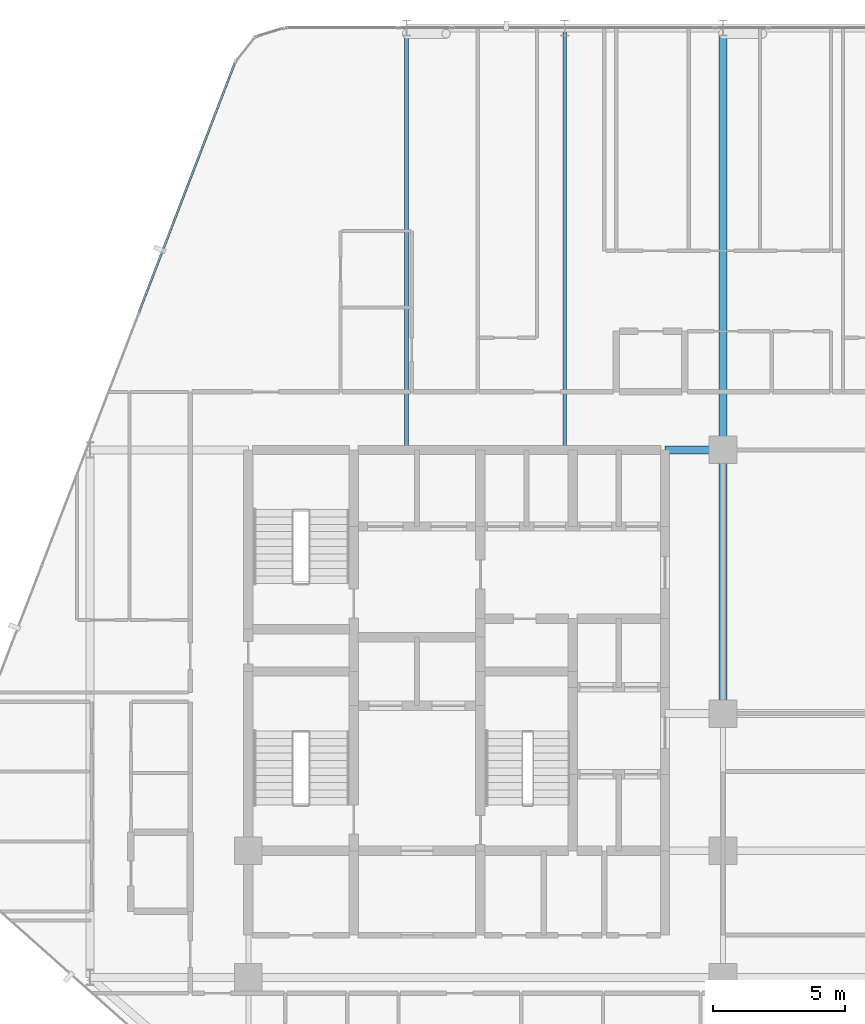
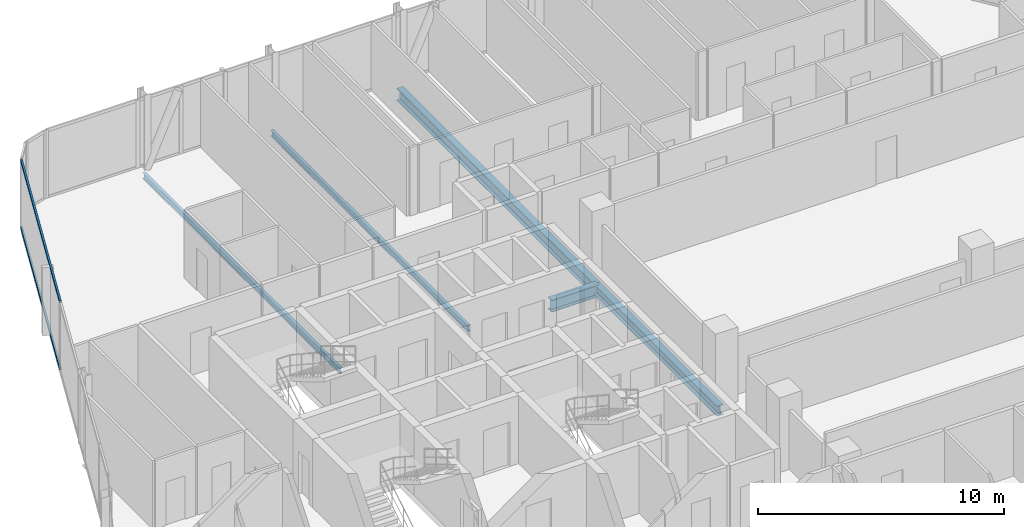
# One storey, part 15 of 29: 5 beams, 2 members, 1 element without a shape of its own.
"""IFC4 building model written with IfcOpenShell, lengths in metres."""

import ifcopenshell
import ifcopenshell.guid

model = None  # the IFC model being written
_history = None  # IfcOwnerHistory: only IFC2X3 demands one
_inside = {}  # id of a spatial element -> (the spatial element, [elements in it])
_under = {}  # id of a project, library or spatial element -> (it, [spatial elements below it])
_declared = {}  # id of a project -> (the project, [libraries it declares])
_typed = {}  # id of a type object -> (the type object, [elements of that type])
_made_of = {}  # id of a material, layer set ... -> (it, [elements and type objects made of it])


def new_model(schema):
    """Start an empty IFC model of exactly this schema.

    Asked for "IFC4X3", IfcOpenShell would pick the latest addendum, in which some entities
    have other attributes; the version numbers below select the first issue.
    IFC2X3 requires an IfcOwnerHistory on every rooted entity: one is made here for all.
    """
    global model, _history
    if schema == "IFC4X3":
        model = ifcopenshell.file(schema_version=(4, 3, 0, 0))
    else:
        model = ifcopenshell.file(schema=schema)
    _inside.clear()
    _under.clear()
    _declared.clear()
    _typed.clear()
    _made_of.clear()
    _history = None
    if model.schema == "IFC2X3":
        org = make("IfcOrganization", Name="unknown")
        user = make(
            "IfcPersonAndOrganization",
            ThePerson=make("IfcPerson", FamilyName="unknown"),
            TheOrganization=org,
        )
        app = make(
            "IfcApplication",
            ApplicationDeveloper=org,
            Version="unknown",
            ApplicationFullName="unknown",
            ApplicationIdentifier="unknown",
        )
        _history = make(
            "IfcOwnerHistory",
            OwningUser=user,
            OwningApplication=app,
            ChangeAction="ADDED",
            CreationDate=0,
        )
    return model


def make(cls, **values):
    """One entity of the class cls with the attributes given. An attribute that is None is left unset."""
    return model.create_entity(
        cls, **{name: value for name, value in values.items() if value is not None}
    )


def rooted(cls, **values):
    """An entity with a GlobalId (a new one), such as an element, a storey or a relation."""
    return make(cls, GlobalId=ifcopenshell.guid.new(), OwnerHistory=_history, **values)


def si_unit(unit_type, name, prefix=None):
    """IfcSIUnit, for example si_unit("LENGTHUNIT", "METRE", prefix="MILLI")."""
    return make("IfcSIUnit", UnitType=unit_type, Prefix=prefix, Name=name)


def assignment(units):
    """IfcUnitAssignment: the units of a project."""
    return None if units is None else make("IfcUnitAssignment", Units=units)


def point(xyz):
    """IfcCartesianPoint."""
    return None if xyz is None else make("IfcCartesianPoint", Coordinates=xyz)


def direction(xyz):
    """IfcDirection."""
    return None if xyz is None else make("IfcDirection", DirectionRatios=xyz)


def frame(location, z_axis=None, x_axis=None):
    """IfcAxis2Placement3D, a coordinate frame: its origin and axes. An axis left out is left unset."""
    return make(
        "IfcAxis2Placement3D",
        Location=point(location),
        Axis=direction(z_axis),
        RefDirection=direction(x_axis),
    )


def frame_2d(location, x_axis=None):
    """IfcAxis2Placement2D, a coordinate frame in the plane: its origin and x axis."""
    return make(
        "IfcAxis2Placement2D", Location=point(location), RefDirection=direction(x_axis)
    )


def origin():
    """The frame at (0, 0, 0) with its axes left unset."""
    return frame((0.0, 0.0, 0.0))


def origin_2d():
    """The frame at (0, 0) in the plane with its x axis left unset."""
    return frame_2d((0.0, 0.0))


def place(relative_to, where):
    """IfcLocalPlacement: puts the frame where relative to a parent placement (None: the world)."""
    return make(
        "IfcLocalPlacement", PlacementRelTo=relative_to, RelativePlacement=where
    )


def context(
    kind, dimensions, precision=None, world=None, true_north=None, identifier=None
):
    """IfcGeometricRepresentationContext, for example the 3D "Model" context."""
    return make(
        "IfcGeometricRepresentationContext",
        ContextIdentifier=identifier,
        ContextType=kind,
        CoordinateSpaceDimension=dimensions,
        Precision=precision,
        WorldCoordinateSystem=world,
        TrueNorth=true_north,
    )


def subcontext(parent, identifier, kind, view, scale=None):
    """IfcGeometricRepresentationSubContext, for example "Body" below "Model"."""
    return make(
        "IfcGeometricRepresentationSubContext",
        ContextIdentifier=identifier,
        ContextType=kind,
        ParentContext=parent,
        TargetScale=scale,
        TargetView=view,
    )


def project(units=None, contexts=None):
    """IfcProject with its units and contexts."""
    return rooted(
        "IfcProject",
        Name="project",
        RepresentationContexts=contexts,
        UnitsInContext=assignment(units),
    )


def spatial(cls, under=None, at=None, **own):
    """A site, building, storey or space (cls), placed at a placement, below another one or the project."""
    s = rooted(cls, ObjectPlacement=at, **own)
    if under is not None:
        _under.setdefault(under.id(), (under, []))[1].append(s)
    return s


def profile(cls, at=None, kind="AREA", **sizes):
    """A parametric profile (cls). Its sizes go by their IFC names, for example OverallWidth=200.0."""
    return make(cls, ProfileType=kind, Position=at, **sizes)


def hollow_rectangle(**sizes):
    """IfcRectangleHollowProfileDef."""
    return profile("IfcRectangleHollowProfileDef", **sizes)


def i_section(**sizes):
    """IfcIShapeProfileDef."""
    return profile("IfcIShapeProfileDef", **sizes)


def extrude(swept, where, along, depth):
    """IfcExtrudedAreaSolid: the profile swept, set in the frame where, extruded along a direction by depth."""
    return make(
        "IfcExtrudedAreaSolid",
        SweptArea=swept,
        Position=where,
        ExtrudedDirection=direction(along),
        Depth=depth,
    )


def shape(context_of_items, identifier, shape_type, items):
    """IfcShapeRepresentation: the items that make up one representation, for example the "Body"."""
    return make(
        "IfcShapeRepresentation",
        ContextOfItems=context_of_items,
        RepresentationIdentifier=identifier,
        RepresentationType=shape_type,
        Items=items,
    )


def material(Name=None, Category=None):
    """IfcMaterial."""
    return make("IfcMaterial", Name=Name, Category=Category)


def layer(
    of_material, thickness, ventilated=None, Name=None, Category=None, Priority=None
):
    """IfcMaterialLayer: one layer of a wall or slab, of a material (None: an air gap)."""
    return make(
        "IfcMaterialLayer",
        Material=of_material,
        LayerThickness=thickness,
        IsVentilated=ventilated,
        Name=Name,
        Category=Category,
        Priority=Priority,
    )


def layer_set(layers, Name=None):
    """IfcMaterialLayerSet."""
    return make("IfcMaterialLayerSet", MaterialLayers=layers, LayerSetName=Name)


def material_profile(
    of_material, cross_section, Name=None, Category=None, Priority=None
):
    """IfcMaterialProfile: a cross section and its material."""
    return make(
        "IfcMaterialProfile",
        Name=Name,
        Material=of_material,
        Profile=cross_section,
        Priority=Priority,
        Category=Category,
    )


def profile_set(profiles, Name=None, composite=None):
    """IfcMaterialProfileSet."""
    return make(
        "IfcMaterialProfileSet",
        Name=Name,
        MaterialProfiles=profiles,
        CompositeProfile=composite,
    )


def made_of(thing, what):
    """Note that an element or type object is made of a material, layer set ...; save() writes the relation."""
    if what is not None:
        _made_of.setdefault(what.id(), (what, []))[1].append(thing)
    return thing


def type_object(cls, material=None, **own):
    """A type object (cls), such as IfcWallType, which elements share."""
    return made_of(rooted(cls, **own), material)


def element(
    cls,
    number,
    at=None,
    inside=None,
    cuts=None,
    type_object=None,
    material=None,
    context=None,
    identifier="Body",
    shape_type=None,
    held_by="IfcProductDefinitionShape",
    body=None,
    shapes=None,
    **own,
):
    """One element of the class cls, such as IfcWall. Its Tag is "e" and its number.

    at: its placement. inside: the storey or other place that contains it. cuts: it is an
    opening in that element (IfcRelVoidsElement). A single representation is given by context,
    identifier, shape_type and body (its items); several are given by shapes. held_by: the class
    of the entity that holds the representations. save() writes the other relations.
    """
    e = rooted(cls, Tag="e%d" % number, ObjectPlacement=at, **own)
    if body is not None:
        shapes = [shape(context, identifier, shape_type, body)]
    if shapes is not None:
        e.Representation = make(held_by, Representations=shapes)
    if inside is not None:
        _inside.setdefault(inside.id(), (inside, []))[1].append(e)
    if cuts is not None:
        rooted(
            "IfcRelVoidsElement", RelatingBuildingElement=cuts, RelatedOpeningElement=e
        )
    if type_object is not None:
        _typed.setdefault(type_object.id(), (type_object, []))[1].append(e)
    return made_of(e, material)


def aggregate(whole, parts):
    """IfcRelAggregates: a whole, such as a stair, and the parts it consists of."""
    return rooted("IfcRelAggregates", RelatingObject=whole, RelatedObjects=parts)


def save(model, path):
    """Write the relations noted so far, then the file.

    IfcRelAggregates (storeys below a building ...), IfcRelContainedInSpatialStructure (elements
    in a storey), IfcRelDefinesByType, IfcRelAssociatesMaterial and IfcRelDeclares: one each for
    every whole, place, type object, material and project.
    """
    for whole, parts in _under.values():
        aggregate(whole, parts)
    for where, things in _inside.values():
        rooted(
            "IfcRelContainedInSpatialStructure",
            RelatedElements=things,
            RelatingStructure=where,
        )
    for kind, things in _typed.values():
        rooted("IfcRelDefinesByType", RelatedObjects=things, RelatingType=kind)
    for what, things in _made_of.values():
        rooted("IfcRelAssociatesMaterial", RelatedObjects=things, RelatingMaterial=what)
    for by, libraries in _declared.values():
        rooted("IfcRelDeclares", RelatingContext=by, RelatedDefinitions=libraries)
    model.write(path)


model = new_model("IFC4")

# Units and contexts
model_context = context("Model", 3, precision=1e-05, world=origin(), true_north=direction((0.0, 1.0)))
body_context = subcontext(model_context, "Body", "Model", "MODEL_VIEW")
ifc_project = project(units=[si_unit("LENGTHUNIT", "METRE"), si_unit("AREAUNIT", "SQUARE_METRE"), si_unit("VOLUMEUNIT", "CUBIC_METRE"), si_unit("PLANEANGLEUNIT", "RADIAN"), si_unit("MASSUNIT", "GRAM", prefix="KILO")], contexts=[model_context])

# Site, building, storey
site_placement = place(None, origin())
site = spatial("IfcSite", under=ifc_project, at=site_placement, CompositionType="ELEMENT")
building_placement = place(site_placement, origin())
building = spatial("IfcBuilding", under=site, at=building_placement, Name="Keshet Zoharim Tower", CompositionType="ELEMENT")
storey_placement = place(building_placement, frame((0.0, 0.0, 94.60009765625)))
storey = spatial("IfcBuildingStorey", under=building, at=storey_placement, Name="L22", CompositionType="ELEMENT", Elevation=94.60009765625)

# Beams
ifc_material_1 = material(Name="Steel S355", Category="steel")
ifc_material_profile_1 = material_profile(ifc_material_1, i_section(OverallWidth=0.300048828125, OverallDepth=0.60009765625, WebThickness=0.015380859375, FlangeThickness=0.030029296875, FilletRadius=0.027099609375, at=origin_2d()), Name="HEB600")
ifc_profile_set_1 = profile_set([ifc_material_profile_1], Name="Steel S355")
beam_type_1 = type_object("IfcBeamType", Name="BM-CLK-HB600", PredefinedType="BEAM", material=ifc_profile_set_1)
beam_1_placement = place(storey_placement, frame((30.800048828125, 37.89990234375, -0.614990234375), z_axis=(1.0, 0.0, 0.0), x_axis=(0.0, 1.0, 0.0)))
element("IfcBeam", 1, at=beam_1_placement, inside=storey, type_object=beam_type_1, Name="L22 Core Wall Link Girder 03", PredefinedType="BEAM", context=body_context, shape_type="SweptSolid", body=[
    extrude(i_section(OverallWidth=0.300048828125, OverallDepth=0.60009765625, WebThickness=0.015380859375, FlangeThickness=0.030029296875, FilletRadius=0.027099609375, at=origin_2d()), origin(), (0.0, 0.0, 1.0), 2.199951171875),
])
ifc_material_profile_2 = material_profile(ifc_material_1, i_section(OverallWidth=0.14990234375, OverallDepth=0.300048828125, WebThickness=0.007080078125, FlangeThickness=0.0107421875, FilletRadius=0.014892578125, at=origin_2d()), Name="IPE300")
ifc_profile_set_2 = profile_set([ifc_material_profile_2], Name="Steel S355")
beam_type_2 = type_object("IfcBeamType", Name="BM-JST-IP300", PredefinedType="JOIST", material=ifc_profile_set_2)
for number, where, z_axis, x_axis, name in (
    (2, (21.0, 37.89990234375, -0.465087890625), (0.0, 1.0, 0.0), (-1.0, 0.0, 0.0), "L22 Secondary Floor Joist J-001"),
    (3, (27.0, 37.89990234375, -0.465087890625), (0.0, 1.0, 0.0), (-1.0, 0.0, 0.0), "L22 Secondary Floor Joist J-002"),
):
    element("IfcBeam", number, at=place(storey_placement, frame(where, z_axis=z_axis, x_axis=x_axis)), inside=storey, type_object=beam_type_2, Name=name, PredefinedType="JOIST", context=body_context, shape_type="SweptSolid", body=[
        extrude(i_section(OverallWidth=0.14990234375, OverallDepth=0.300048828125, WebThickness=0.007080078125, FlangeThickness=0.0107421875, FilletRadius=0.014892578125, at=origin_2d()), origin(), (0.0, 0.0, 1.0), 16.0),
    ])
ifc_material_profile_3 = material_profile(ifc_material_1, i_section(OverallWidth=0.300048828125, OverallDepth=0.60009765625, WebThickness=0.015380859375, FlangeThickness=0.030029296875, FilletRadius=0.027099609375, at=origin_2d()), Name="HEB600")
ifc_profile_set_3 = profile_set([ifc_material_profile_3], Name="Steel S355")
beam_type_3 = type_object("IfcBeamType", Name="BM-LNG-HB600", PredefinedType="BEAM", material=ifc_profile_set_3)
beam_2_placement = place(storey_placement, frame((33.0, 37.89990234375, -0.614990234375), z_axis=(0.0, 1.0, 0.0), x_axis=(-1.0, 0.0, 0.0)))
element("IfcBeam", 4, at=beam_2_placement, inside=storey, type_object=beam_type_3, Name="L22 Primary Girder Y-011", PredefinedType="BEAM", context=body_context, shape_type="SweptSolid", body=[
    extrude(i_section(OverallWidth=0.300048828125, OverallDepth=0.60009765625, WebThickness=0.015380859375, FlangeThickness=0.030029296875, FilletRadius=0.027099609375, at=origin_2d()), origin(), (0.0, 0.0, 1.0), 16.0),
])
ifc_material_profile_4 = material_profile(ifc_material_1, i_section(OverallWidth=0.300048828125, OverallDepth=0.5, WebThickness=0.014404296875, FlangeThickness=0.028076171875, FilletRadius=0.027099609375, at=origin_2d()), Name="HEB500")
ifc_profile_set_4 = profile_set([ifc_material_profile_4], Name="Steel S355")
beam_type_4 = type_object("IfcBeamType", Name="BM-MED-HB500", PredefinedType="BEAM", material=ifc_profile_set_4)
beam_3_placement = place(storey_placement, frame((33.0, 27.89990234375, -0.565185546875), z_axis=(0.0, 1.0, 0.0), x_axis=(-1.0, 0.0, 0.0)))
element("IfcBeam", 5, at=beam_3_placement, inside=storey, type_object=beam_type_4, Name="L22 Primary Girder Y-010", PredefinedType="BEAM", context=body_context, shape_type="SweptSolid", body=[
    extrude(i_section(OverallWidth=0.300048828125, OverallDepth=0.5, WebThickness=0.014404296875, FlangeThickness=0.028076171875, FilletRadius=0.027099609375, at=origin_2d()), origin(), (0.0, 0.0, 1.0), 10.0),
])

# Curtain wall, members
ifc_material_2 = material(Name="Aluminium 6063-T6", Category="aluminium")
ifc_layer = layer(ifc_material_2, 0.159912109375)
ifc_layer_set = layer_set([ifc_layer], Name="Aluminium 6063-T6")
curtain_wall_type = type_object("IfcCurtainWallType", Name="CW-SYS-03", PredefinedType="NOTDEFINED", material=ifc_layer_set)
curtain_wall_placement = place(storey_placement, origin())
curtain_wall = element("IfcCurtainWall", 6, at=curtain_wall_placement, inside=storey, type_object=curtain_wall_type, Name="L22 Unitised Curtain Wall 10", PredefinedType="NOTDEFINED")
ifc_material_profile_5 = material_profile(ifc_material_2, hollow_rectangle(XDim=0.080078125, YDim=0.139892578125, WallThickness=0.00390625, at=origin_2d()), Name="TRN-80x140")
ifc_profile_set_5 = profile_set([ifc_material_profile_5], Name="Aluminium 6063-T6")
member_type = type_object("IfcMemberType", Name="CWT-T14", PredefinedType="USERDEFINED", material=ifc_profile_set_5)
member_1_placement = place(storey_placement, frame((10.849609375, 43.10888671875, 0.034912109375), z_axis=(0.358985546764, 0.933343118694, 0.0), x_axis=(-0.933343118694, 0.358985546764, 0.0)))
member_1 = element("IfcMember", 7, at=member_1_placement, type_object=member_type, Name="CW-03 transom 3.1", ObjectType="TRANSOM", PredefinedType="USERDEFINED", context=body_context, shape_type="SweptSolid", body=[
    extrude(hollow_rectangle(XDim=0.080078125, YDim=0.139892578125, WallThickness=0.00390625, at=origin_2d()), origin(), (0.0, 0.0, 1.0), 10.118408203125),
])
member_2_placement = place(storey_placement, frame((10.849609375, 43.10888671875, 3.349853515625), z_axis=(0.358985546764, 0.933343118694, 0.0), x_axis=(-0.933343118694, 0.358985546764, 0.0)))
member_2 = element("IfcMember", 8, at=member_2_placement, type_object=member_type, Name="CW-03 transom 3.2", ObjectType="TRANSOM", PredefinedType="USERDEFINED", context=body_context, shape_type="SweptSolid", body=[
    extrude(hollow_rectangle(XDim=0.080078125, YDim=0.139892578125, WallThickness=0.00390625, at=origin_2d()), origin(), (0.0, 0.0, 1.0), 10.118408203125),
])
aggregate(curtain_wall, [member_1, member_2])

save(model, "model.ifc")
